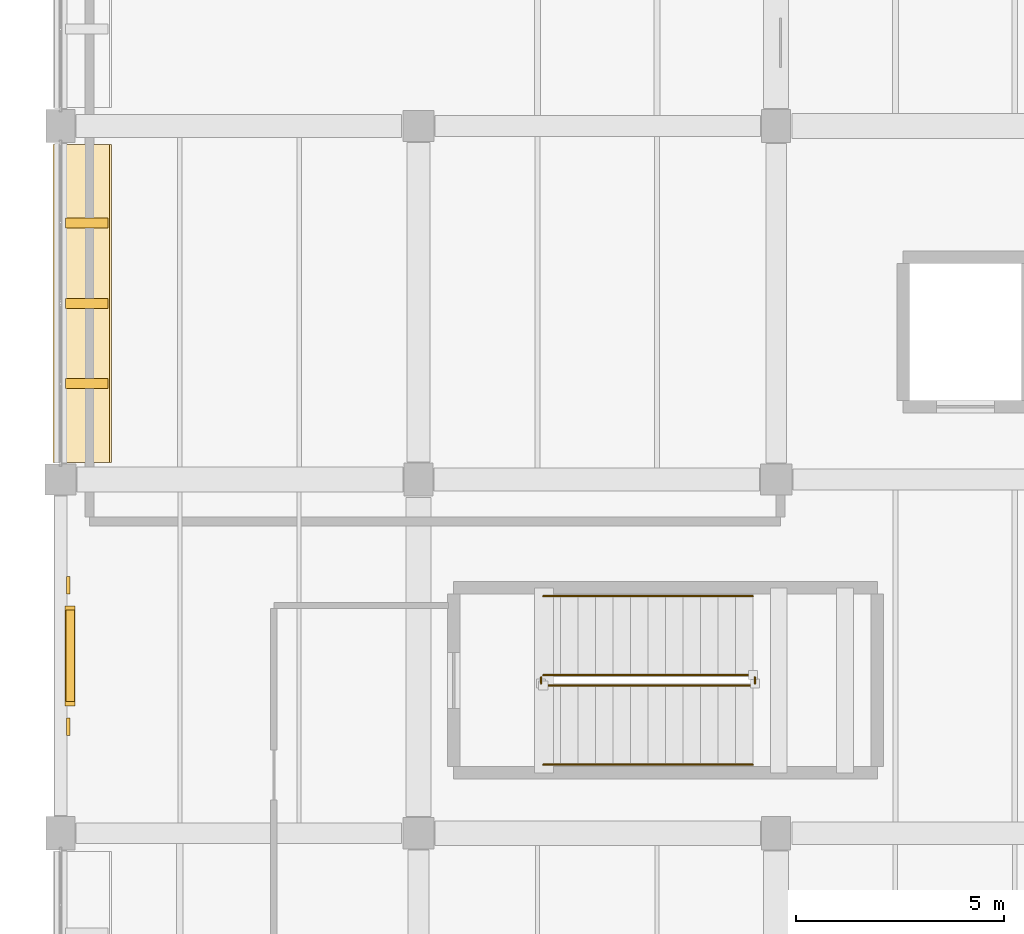
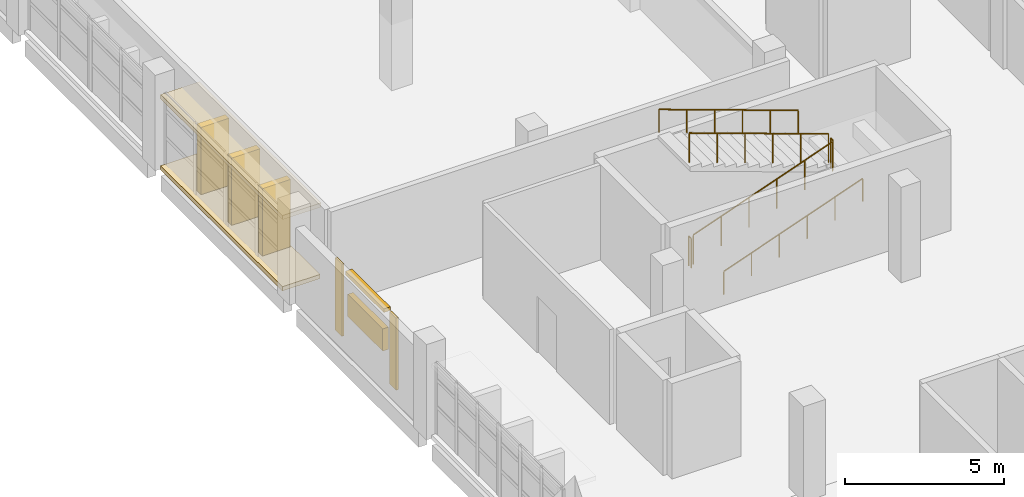
# One storey, part 73 of 80: 6 railings, 5 shading devices, 4 coverings.
"""IFC4 building model written with IfcOpenShell, lengths in metres."""

from ifc_helpers import new_model, si_unit, direction, frame, origin, origin_2d, place, context, subcontext, project, spatial, polyline, rectangle, circle, outline, extrude, material, layer, layer_set, type_object, element, save


model = new_model("IFC4")

# Units and contexts
model_context = context("Model", 3, precision=1e-05, world=origin(), true_north=direction((0.0, 1.0)))
body_context = subcontext(model_context, "Body", "Model", "MODEL_VIEW")
ifc_project = project(units=[si_unit("LENGTHUNIT", "METRE"), si_unit("AREAUNIT", "SQUARE_METRE"), si_unit("VOLUMEUNIT", "CUBIC_METRE"), si_unit("PLANEANGLEUNIT", "RADIAN"), si_unit("MASSUNIT", "GRAM", prefix="KILO")], contexts=[model_context])

# Site, building, storey
site_placement = place(None, origin())
site = spatial("IfcSite", under=ifc_project, at=site_placement, CompositionType="ELEMENT")
building_placement = place(site_placement, origin())
building = spatial("IfcBuilding", under=site, at=building_placement, Name="Varnakota Cinema and Media Centre", CompositionType="ELEMENT")
storey_placement = place(building_placement, frame((0.0, 0.0, 4.5)))
storey = spatial("IfcBuildingStorey", under=building, at=storey_placement, Name="L01", CompositionType="ELEMENT", Elevation=4.5)

# Coverings
ifc_material_1 = material(Name="Precast concrete M40", Category="concrete")
ifc_layer_1 = layer(ifc_material_1, 0.159912109375)
ifc_layer_set_1 = layer_set([ifc_layer_1], Name="Precast concrete M40")
covering_type_1 = type_object("IfcCoveringType", Name="COV-CHAJJA-160", PredefinedType="CLADDING", material=ifc_layer_set_1)
covering_1_placement = place(storey_placement, frame((0.0, 0.0, 2.72509765625)))
element("IfcCovering", 1, at=covering_1_placement, inside=storey, type_object=covering_type_1, Name="L01 Brutalist chajja overhang V5-W-3", PredefinedType="CLADDING", context=body_context, shape_type="SweptSolid", body=[
    extrude(outline(polyline([(-0.179931640625, 60.56005859375), (-0.179931640625, 52.9150390625), (1.219970703125, 52.9150390625), (1.219970703125, 60.56005859375), (-0.179931640625, 60.56005859375)])), origin(), (0.0, 0.0, 1.0), 0.159912109375),
])
covering_2_placement = place(storey_placement, origin())
element("IfcCovering", 2, at=covering_2_placement, inside=storey, type_object=covering_type_1, Name="L01 brise-soleil base plinth V5-W-3", PredefinedType="CLADDING", context=body_context, shape_type="SweptSolid", body=[
    extrude(outline(polyline([(-0.179931640625, 60.56005859375), (-0.179931640625, 52.9150390625), (1.179931640625, 52.9150390625), (1.179931640625, 60.56005859375), (-0.179931640625, 60.56005859375)])), origin(), (0.0, 0.0, 1.0), 0.159912109375),
])
ifc_material_2 = material(Name="Pale Tandur limestone cladding", Category="masonry")
ifc_layer_2 = layer(ifc_material_2, 0.06005859375)
ifc_layer_set_2 = layer_set([ifc_layer_2], Name="Pale Tandur limestone cladding")
covering_type_2 = type_object("IfcCoveringType", Name="COV-TANDUR-ASHLAR-60", PredefinedType="CLADDING", material=ifc_layer_set_2)
for number, where, z_axis, x_axis, name in (
    (3, (0.18505859375, 49.9619140625, 0.06005859375), (0.0, 0.0, 1.0), (0.0, -1.0, 0.0), "L01 acoustic studio stone relief pilaster V5-W-4.1"),
    (4, (0.18505859375, 46.56298828125, 0.06005859375), (0.0, 0.0, 1.0), (0.0, -1.0, 0.0), "L01 acoustic studio stone relief pilaster V5-W-4.2"),
):
    element("IfcCovering", number, at=place(storey_placement, frame(where, z_axis=z_axis, x_axis=x_axis)), inside=storey, type_object=covering_type_2, Name=name, PredefinedType="CLADDING", context=body_context, shape_type="SweptSolid", body=[
        extrude(rectangle(XDim=0.419921875, YDim=0.080078125, at=origin_2d()), origin(), (0.0, 0.0, 1.0), 2.764892578125),
    ])

# Railings
ifc_material_3 = material(Name="Structural steel Grade 350 (E350)", Category="steel")
ifc_layer_3 = layer(ifc_material_3, 0.050048828125)
ifc_layer_set_3 = layer_set([ifc_layer_3], Name="Structural steel Grade 350 (E350)")
railing_type_1 = type_object("IfcRailingType", Name="RAIL-STAIR-GUARD-1150", PredefinedType="GUARDRAIL", material=ifc_layer_set_3)
railing_1_placement = place(storey_placement, frame((11.60009765625, 47.550048828125, 0.14990234375)))
element("IfcRailing", 5, at=railing_1_placement, inside=storey, type_object=railing_type_1, Name="L01 ST-03 stair guard 1", PredefinedType="GUARDRAIL", context=body_context, shape_type="SweptSolid", body=[
    extrude(circle(Radius=0.02392578125, at=origin_2d()), frame((0.0, 0.0, 1.1259765625), z_axis=(0.941734686483, 0.0, 0.336356626626), x_axis=(0.0, 1.0, 0.0)), (0.0, 0.0, 1.0), 5.3515625),
    extrude(circle(Radius=0.02099609375, at=origin_2d()), origin(), (0.0, 0.0, 1.0), 1.101806640625),
    extrude(circle(Radius=0.02099609375, at=origin_2d()), frame((1.008056640625, 0.0, 0.360107421875)), (0.0, 0.0, 1.0), 1.101806640625),
    extrude(circle(Radius=0.02099609375, at=origin_2d()), frame((2.015869140625, 0.0, 0.719970703125)), (0.0, 0.0, 1.0), 1.101806640625),
    extrude(circle(Radius=0.02099609375, at=origin_2d()), frame((3.02392578125, 0.0, 1.080078125)), (0.0, 0.0, 1.0), 1.101806640625),
    extrude(circle(Radius=0.02099609375, at=origin_2d()), frame((4.03173828125, 0.0, 1.43994140625)), (0.0, 0.0, 1.0), 1.101806640625),
    extrude(circle(Radius=0.02099609375, at=origin_2d()), frame((5.039794921875, 0.0, 1.800048828125)), (0.0, 0.0, 1.0), 1.101806640625),
])
railing_2_placement = place(storey_placement, frame((16.68994140625, 47.60009765625, 1.949951171875)))
element("IfcRailing", 6, at=railing_2_placement, inside=storey, type_object=railing_type_1, Name="L01 ST-03 stair guard 2", PredefinedType="GUARDRAIL", context=body_context, shape_type="SweptSolid", body=[
    extrude(circle(Radius=0.02392578125, at=origin_2d()), frame((0.0, 0.0, 1.1259765625), z_axis=(0.0, 1.0, 0.0), x_axis=(-1.0, 0.0, 0.0)), (0.0, 0.0, 1.0), 0.14990234375),
    extrude(circle(Radius=0.02099609375, at=origin_2d()), origin(), (0.0, 0.0, 1.0), 1.101806640625),
    extrude(circle(Radius=0.02099609375, at=origin_2d()), frame((0.0, 0.14990234375, 0.0)), (0.0, 0.0, 1.0), 1.101806640625),
])
railing_3_placement = place(storey_placement, frame((16.639892578125, 47.800048828125, 2.10009765625)))
element("IfcRailing", 7, at=railing_3_placement, inside=storey, type_object=railing_type_1, Name="L01 ST-03 stair guard 3", PredefinedType="GUARDRAIL", context=body_context, shape_type="SweptSolid", body=[
    extrude(circle(Radius=0.02392578125, at=origin_2d()), frame((0.0, 0.0, 1.1259765625), z_axis=(-0.941749136383, 0.0, 0.336316166905), x_axis=(0.0, -1.0, 0.0)), (0.0, 0.0, 1.0), 5.3515625),
    extrude(circle(Radius=0.02099609375, at=origin_2d()), origin(), (0.0, 0.0, 1.0), 1.101806640625),
    extrude(circle(Radius=0.02099609375, at=origin_2d()), frame((-1.008056640625, 0.0, 0.35986328125)), (0.0, 0.0, 1.0), 1.101806640625),
    extrude(circle(Radius=0.02099609375, at=origin_2d()), frame((-2.015869140625, 0.0, 0.719970703125)), (0.0, 0.0, 1.0), 1.101806640625),
    extrude(circle(Radius=0.02099609375, at=origin_2d()), frame((-3.02392578125, 0.0, 1.079833984375)), (0.0, 0.0, 1.0), 1.101806640625),
    extrude(circle(Radius=0.02099609375, at=origin_2d()), frame((-4.03173828125, 0.0, 1.43994140625)), (0.0, 0.0, 1.0), 1.101806640625),
    extrude(circle(Radius=0.02099609375, at=origin_2d()), frame((-5.039794921875, 0.0, 1.7998046875)), (0.0, 0.0, 1.0), 1.101806640625),
])
railing_4_placement = place(storey_placement, frame((11.550048828125, 47.60009765625, 0.0)))
element("IfcRailing", 8, at=railing_4_placement, inside=storey, type_object=railing_type_1, Name="L01 ST-03 stair guard 4", PredefinedType="GUARDRAIL", context=body_context, shape_type="SweptSolid", body=[
    extrude(circle(Radius=0.02392578125, at=origin_2d()), frame((0.0, 0.0, 1.1259765625), z_axis=(0.0, 1.0, 0.0), x_axis=(-1.0, 0.0, 0.0)), (0.0, 0.0, 1.0), 0.14990234375),
    extrude(circle(Radius=0.02099609375, at=origin_2d()), origin(), (0.0, 0.0, 1.0), 1.101806640625),
    extrude(circle(Radius=0.02099609375, at=origin_2d()), frame((0.0, 0.14990234375, 0.0)), (0.0, 0.0, 1.0), 1.101806640625),
])
ifc_material_4 = material(Name="Structural steel Grade 350 (E350)", Category="steel")
ifc_layer_4 = layer(ifc_material_4, 0.048095703125)
ifc_layer_set_4 = layer_set([ifc_layer_4], Name="Structural steel Grade 350 (E350)")
railing_type_2 = type_object("IfcRailingType", Name="RAIL-STAIR-HAND-900", PredefinedType="HANDRAIL", material=ifc_layer_set_4)
railing_5_placement = place(storey_placement, frame((11.60009765625, 45.64990234375, 0.14990234375)))
element("IfcRailing", 9, at=railing_5_placement, inside=storey, type_object=railing_type_2, Name="L01 ST-03 stair handrail 1", PredefinedType="HANDRAIL", context=body_context, shape_type="SweptSolid", body=[
    extrude(circle(Radius=0.02392578125, at=origin_2d()), frame((0.0, 0.0, 0.8759765625), z_axis=(0.941734686483, 0.0, 0.336356626626), x_axis=(0.0, 1.0, 0.0)), (0.0, 0.0, 1.0), 5.3515625),
    extrude(circle(Radius=0.02099609375, at=origin_2d()), origin(), (0.0, 0.0, 1.0), 0.851806640625),
    extrude(circle(Radius=0.02099609375, at=origin_2d()), frame((1.008056640625, 0.0, 0.360107421875)), (0.0, 0.0, 1.0), 0.851806640625),
    extrude(circle(Radius=0.02099609375, at=origin_2d()), frame((2.015869140625, 0.0, 0.719970703125)), (0.0, 0.0, 1.0), 0.851806640625),
    extrude(circle(Radius=0.02099609375, at=origin_2d()), frame((3.02392578125, 0.0, 1.080078125)), (0.0, 0.0, 1.0), 0.851806640625),
    extrude(circle(Radius=0.02099609375, at=origin_2d()), frame((4.03173828125, 0.0, 1.43994140625)), (0.0, 0.0, 1.0), 0.851806640625),
    extrude(circle(Radius=0.02099609375, at=origin_2d()), frame((5.039794921875, 0.0, 1.800048828125)), (0.0, 0.0, 1.0), 0.851806640625),
])
railing_6_placement = place(storey_placement, frame((16.639892578125, 49.699951171875, 2.10009765625)))
element("IfcRailing", 10, at=railing_6_placement, inside=storey, type_object=railing_type_2, Name="L01 ST-03 stair handrail 2", PredefinedType="HANDRAIL", context=body_context, shape_type="SweptSolid", body=[
    extrude(circle(Radius=0.02392578125, at=origin_2d()), frame((0.0, 0.0, 0.8759765625), z_axis=(-0.941749136383, 0.0, 0.336316166905), x_axis=(0.0, -1.0, 0.0)), (0.0, 0.0, 1.0), 5.3515625),
    extrude(circle(Radius=0.02099609375, at=origin_2d()), origin(), (0.0, 0.0, 1.0), 0.851806640625),
    extrude(circle(Radius=0.02099609375, at=origin_2d()), frame((-1.008056640625, 0.0, 0.35986328125)), (0.0, 0.0, 1.0), 0.851806640625),
    extrude(circle(Radius=0.02099609375, at=origin_2d()), frame((-2.015869140625, 0.0, 0.719970703125)), (0.0, 0.0, 1.0), 0.851806640625),
    extrude(circle(Radius=0.02099609375, at=origin_2d()), frame((-3.02392578125, 0.0, 1.079833984375)), (0.0, 0.0, 1.0), 0.851806640625),
    extrude(circle(Radius=0.02099609375, at=origin_2d()), frame((-4.03173828125, 0.0, 1.43994140625)), (0.0, 0.0, 1.0), 0.851806640625),
    extrude(circle(Radius=0.02099609375, at=origin_2d()), frame((-5.039794921875, 0.0, 1.7998046875)), (0.0, 0.0, 1.0), 0.851806640625),
])

# Shading devices
ifc_material_5 = material(Name="Precast concrete M40", Category="concrete")
shading_device_type_1 = type_object("IfcShadingDeviceType", Name="SHD-BRISE-FIN-240", PredefinedType="JALOUSIE", material=ifc_material_5)
for number, where, z_axis, x_axis, name in (
    (11, (0.6298828125, 58.668701171875, 0.14990234375), (0.0, 0.0, 1.0), (0.0, -1.0, 0.0), "L01 vertical concrete brise-soleil fin V5-W-3.1"),
    (12, (0.6298828125, 56.737548828125, 0.14990234375), (0.0, 0.0, 1.0), (0.0, -1.0, 0.0), "L01 vertical concrete brise-soleil fin V5-W-3.2"),
    (13, (0.6298828125, 54.80615234375, 0.14990234375), (0.0, 0.0, 1.0), (0.0, -1.0, 0.0), "L01 vertical concrete brise-soleil fin V5-W-3.3"),
):
    element("IfcShadingDevice", number, at=place(storey_placement, frame(where, z_axis=z_axis, x_axis=x_axis)), inside=storey, type_object=shading_device_type_1, Name=name, PredefinedType="JALOUSIE", context=body_context, shape_type="SweptSolid", body=[
        extrude(rectangle(XDim=0.239990234375, YDim=1.02001953125, at=origin_2d()), origin(), (0.0, 0.0, 1.0), 2.5849609375),
    ])
ifc_material_6 = material(Name="Precast concrete M40", Category="concrete")
shading_device_type_2 = type_object("IfcShadingDeviceType", Name="SHD-CHAJJA-1050", PredefinedType="AWNING", material=ifc_material_6)
shading_device_1_placement = place(storey_placement, frame((0.22998046875, 48.262451171875, 2.615234375), z_axis=(0.0, 0.0, 1.0), x_axis=(0.0, -1.0, 0.0)))
element("IfcShadingDevice", 14, at=shading_device_1_placement, inside=storey, type_object=shading_device_type_2, Name="L01 acoustic intake weather hood V5-W-4", PredefinedType="AWNING", context=body_context, shape_type="SweptSolid", body=[
    extrude(rectangle(XDim=2.39990234375, YDim=0.239990234375, at=origin_2d()), origin(), (0.0, 0.0, 1.0), 0.139892578125),
])
ifc_material_7 = material(Name="Precast concrete M40", Category="concrete")
shading_device_type_3 = type_object("IfcShadingDeviceType", Name="SHD-FIN-1050", PredefinedType="JALOUSIE", material=ifc_material_7)
shading_device_2_placement = place(storey_placement, frame((0.22998046875, 48.262451171875, 1.074951171875), z_axis=(0.0, 0.0, 1.0), x_axis=(0.0, -1.0, 0.0)))
element("IfcShadingDevice", 15, at=shading_device_2_placement, inside=storey, type_object=shading_device_type_3, Name="L01 studio acoustic louvre screen V5-W-4", PredefinedType="JALOUSIE", context=body_context, shape_type="SweptSolid", body=[
    extrude(rectangle(XDim=2.199951171875, YDim=0.199951171875, at=origin_2d()), origin(), (0.0, 0.0, 1.0), 0.85009765625),
])

save(model, "model.ifc")
